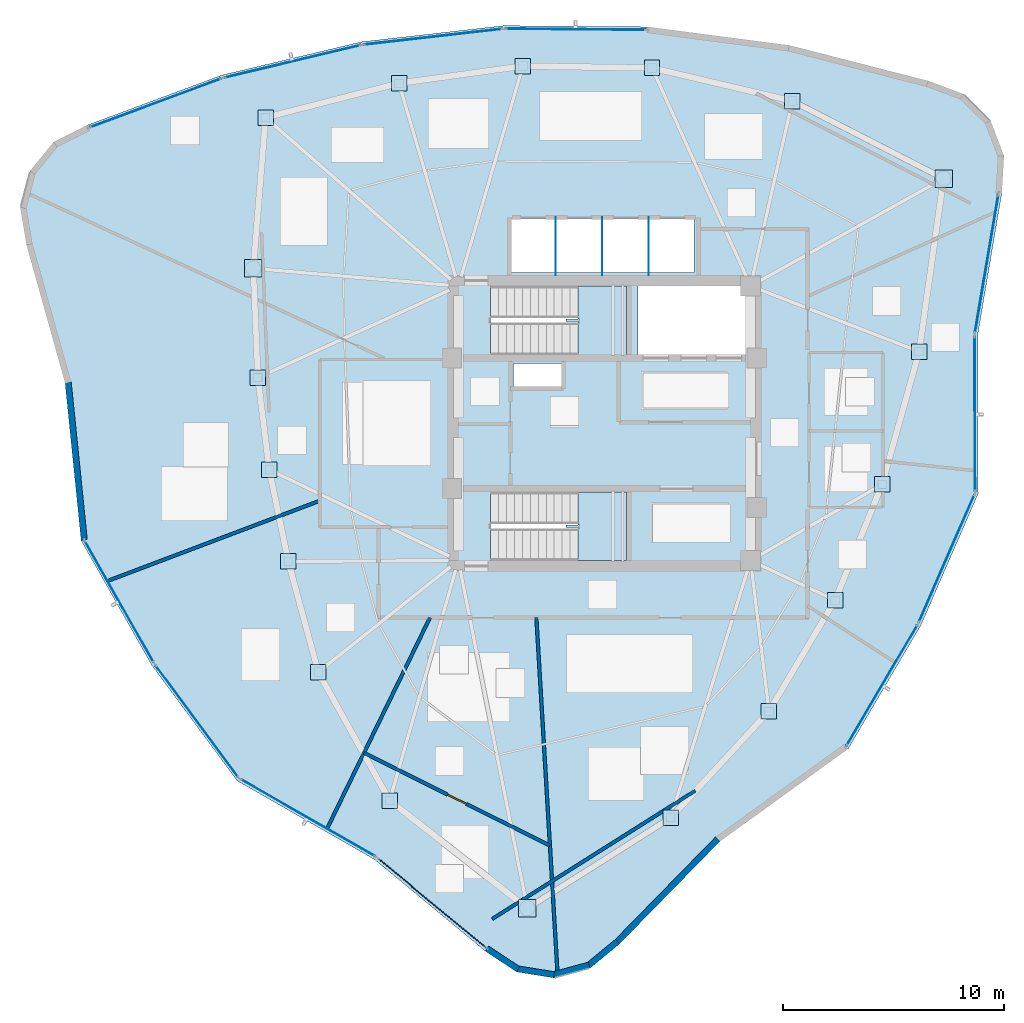
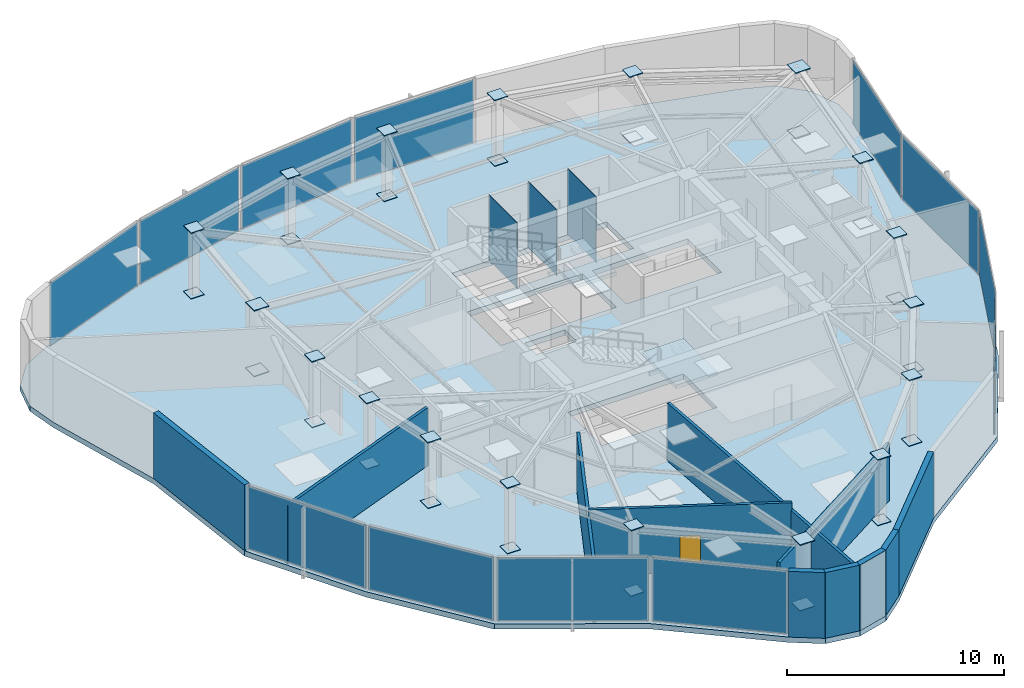
# One storey, part 7 of 11: 51 plates, 11 walls, 3 slabs, 1 door, 1 opening, 14 elements without a shape of their own.
"""IFC4 building model written with IfcOpenShell, lengths in metres."""

from ifc_helpers import new_model, si_unit, direction, frame, frame_2d, origin, origin_2d, place, context, subcontext, project, spatial, polyline, rectangle, outline, extrude, source, transform, mapped, material, layer, layer_set, type_object, type_shapes, element, fill, aggregate, save


model = new_model("IFC4")

# Units and contexts
model_context = context("Model", 3, precision=1e-05, world=origin(), true_north=direction((0.0, 1.0)))
body_context = subcontext(model_context, "Body", "Model", "MODEL_VIEW")
ifc_project = project(units=[si_unit("LENGTHUNIT", "METRE"), si_unit("AREAUNIT", "SQUARE_METRE"), si_unit("VOLUMEUNIT", "CUBIC_METRE"), si_unit("PLANEANGLEUNIT", "RADIAN"), si_unit("MASSUNIT", "GRAM", prefix="KILO")], contexts=[model_context])

# Site, building, storey
site_placement = place(None, origin())
site = spatial("IfcSite", under=ifc_project, at=site_placement, CompositionType="ELEMENT")
building_placement = place(site_placement, origin())
building = spatial("IfcBuilding", under=site, at=building_placement, Name="Tavelor Broadcast Tower", CompositionType="ELEMENT")
storey_placement = place(building_placement, frame((0.0, 0.0, 309.5)))
storey = spatial("IfcBuildingStorey", under=building, at=storey_placement, Name="L74", CompositionType="ELEMENT", Elevation=309.5)

# Stair, slab
ifc_material_1 = material(Name="Concrete C40/50", Category="concrete")
stair_type = type_object("IfcStairType", Name="Reinforced Concrete Protected Dogleg Stair 1450 mm", PredefinedType="HALF_TURN_STAIR", material=ifc_material_1)
stair_1_placement = place(storey_placement, origin())
stair_1 = element("IfcStair", 1, at=stair_1_placement, inside=storey, type_object=stair_type, Name="L74 Protected Core Exit Stair ST1", PredefinedType="HALF_TURN_STAIR")
ifc_layer_1 = layer(ifc_material_1, 0.199951171875)
ifc_layer_set_1 = layer_set([ifc_layer_1], Name="Concrete C40/50")
slab_type_1 = type_object("IfcSlabType", Name="Reinforced Concrete Stair Half-Landing Slab 200 mm", PredefinedType="LANDING", material=ifc_layer_set_1)
slab_1_placement = place(storey_placement, frame((0.0, 0.0, 1.800048828125)))
slab_1 = element("IfcSlab", 2, at=slab_1_placement, type_object=slab_type_1, Name="ST1 landing 1", PredefinedType="LANDING", context=body_context, shape_type="SweptSolid", body=[
    extrude(outline(polyline([(48.804931640625, 49.590087890625), (48.804931640625, 48.094970703125), (51.0048828125, 48.094970703125), (51.0048828125, 51.205078125), (48.804931640625, 51.205078125), (48.804931640625, 49.7099609375), (48.264892578125, 49.7099609375), (48.264892578125, 49.590087890625), (48.804931640625, 49.590087890625)])), origin(), (0.0, 0.0, 1.0), 0.199951171875),
])
aggregate(stair_1, [slab_1])

stair_2_placement = place(storey_placement, origin())
stair_2 = element("IfcStair", 3, at=stair_2_placement, inside=storey, type_object=stair_type, Name="L74 Protected Core Exit Stair ST2", PredefinedType="HALF_TURN_STAIR")
slab_2_placement = place(storey_placement, frame((0.0, 0.0, 1.800048828125)))
slab_2 = element("IfcSlab", 4, at=slab_2_placement, type_object=slab_type_1, Name="ST2 landing 1", PredefinedType="LANDING", context=body_context, shape_type="SweptSolid", body=[
    extrude(outline(polyline([(48.804931640625, 40.2900390625), (48.804931640625, 38.794921875), (51.0048828125, 38.794921875), (51.0048828125, 41.905029296875), (48.804931640625, 41.905029296875), (48.804931640625, 40.409912109375), (48.264892578125, 40.409912109375), (48.264892578125, 40.2900390625), (48.804931640625, 40.2900390625)])), origin(), (0.0, 0.0, 1.0), 0.199951171875),
])
aggregate(stair_2, [slab_2])

# Slab
ifc_layer_2 = layer(ifc_material_1, 0.300048828125)
ifc_layer_set_2 = layer_set([ifc_layer_2], Name="Concrete C40/50")
slab_type_2 = type_object("IfcSlabType", Name="Tower Composite Floor Slab 300 mm", PredefinedType="FLOOR", material=ifc_layer_set_2)
slab_3_placement = place(storey_placement, frame((0.0, 0.0, -0.300048828125)))
element("IfcSlab", 5, at=slab_3_placement, inside=storey, type_object=slab_type_2, Name="L74 Structural Floor Slab", PredefinedType="FLOOR", context=body_context, shape_type="SweptSolid", body=[
    extrude(outline(polyline([(26.6416015625, 58.472412109375), (25.118408203125, 57.71142578125), (24.043701171875, 56.39111328125), (23.607421875, 54.74560546875), (23.886962890625, 53.066162109375), (25.632080078125, 46.8251953125), (26.358642578125, 39.697509765625), (29.552001953125, 34.058837890625), (33.404541015625, 28.847900390625), (39.620361328125, 25.28515625), (44.61181640625, 21.152587890625), (46.0322265625, 20.214111328125), (47.713134765625, 19.943359375), (49.3564453125, 20.38818359375), (50.671142578125, 21.469970703125), (55.203369140625, 26.101806640625), (61.0126953125, 30.294921875), (64.29931640625, 35.8798828125), (66.885986328125, 41.821533203125), (66.86328125, 48.986083984375), (67.94677734375, 55.375244140625), (68.049072265625, 57.07470703125), (67.443115234375, 58.66552734375), (66.236083984375, 59.8662109375), (64.64208984375, 60.4638671875), (58.364501953125, 62.072998046875), (51.938720703125, 62.910400390625), (45.45849609375, 62.964111328125), (39.01953125, 62.2333984375), (32.71630859375, 60.728759765625), (26.6416015625, 58.472412109375)]), holes=[polyline([(50.99609375, 41.89599609375), (50.99609375, 38.803955078125), (44.85400390625, 38.803955078125), (44.85400390625, 41.89599609375), (50.99609375, 41.89599609375)]), polyline([(48.050048828125, 47.699951171875), (48.050048828125, 46.64990234375), (45.89990234375, 46.64990234375), (45.89990234375, 47.699951171875), (48.050048828125, 47.699951171875)]), polyline([(50.99609375, 51.196044921875), (50.99609375, 48.10400390625), (44.85400390625, 48.10400390625), (44.85400390625, 51.196044921875), (50.99609375, 51.196044921875)]), polyline([(56.60009765625, 48.10009765625), (51.52001953125, 48.10009765625), (51.52001953125, 51.199951171875), (56.60009765625, 51.199951171875), (56.60009765625, 48.10009765625)]), polyline([(54.050048828125, 51.800048828125), (45.800048828125, 51.800048828125), (45.800048828125, 54.25), (54.050048828125, 54.25), (54.050048828125, 51.800048828125)])]), origin(), (0.0, 0.0, 1.0), 0.300048828125),
])

# Plates
ifc_material_2 = material(Name="Steel S460", Category="steel")
ifc_layer_3 = layer(ifc_material_2, 0.050048828125)
ifc_layer_set_3 = layer_set([ifc_layer_3], Name="Steel S460")
plate_type_1 = type_object("IfcPlateType", Name="Tube Hollow-End Cap Plate KN05 700x700x50", PredefinedType="USERDEFINED", material=ifc_layer_set_3)
shared_shape_1 = source(origin(), body_context, "Body", "SweptSolid", [
    extrude(rectangle(XDim=0.699951171875, YDim=0.699951171875, at=origin_2d()), origin(), (0.0, 0.0, 1.0), 0.054931640625),
])
for number, where, z_axis, x_axis, name in (
    (6, (34.341552734375, 47.061279296875, -0.02734375), (0.0, 0.0, 1.0), (1.0, 0.0, 0.0), "L74 Hollow End Cap Plate KN05 #2247"),
    (7, (34.341552734375, 47.061279296875, 3.67236328125), (0.0, 0.0, 1.0), (1.0, 0.0, 0.0), "L74 Hollow End Cap Plate KN05 #2248"),
    (8, (34.85400390625, 42.90185546875, -0.02734375), (0.0, 0.0, 1.0), (1.0, 0.0, 0.0), "L74 Hollow End Cap Plate KN05 #2249"),
    (9, (34.85400390625, 42.90185546875, 3.67236328125), (0.0, 0.0, 1.0), (1.0, 0.0, 0.0), "L74 Hollow End Cap Plate KN05 #2250"),
    (10, (35.716552734375, 38.757080078125, -0.02734375), (0.0, 0.0, 1.0), (1.0, 0.0, 0.0), "L74 Hollow End Cap Plate KN05 #2251"),
    (11, (35.716552734375, 38.757080078125, 3.67236328125), (0.0, 0.0, 1.0), (1.0, 0.0, 0.0), "L74 Hollow End Cap Plate KN05 #2252"),
    (12, (37.068115234375, 33.759521484375, -0.02734375), (0.0, 0.0, 1.0), (1.0, 0.0, 0.0), "L74 Hollow End Cap Plate KN05 #2253"),
    (13, (37.068115234375, 33.759521484375, 3.67236328125), (0.0, 0.0, 1.0), (1.0, 0.0, 0.0), "L74 Hollow End Cap Plate KN05 #2254"),
    (14, (40.29638671875, 27.95361328125, -0.02734375), (0.0, 0.0, 1.0), (1.0, 0.0, 0.0), "L74 Hollow End Cap Plate KN05 #2255"),
    (15, (40.29638671875, 27.95361328125, 3.67236328125), (0.0, 0.0, 1.0), (1.0, 0.0, 0.0), "L74 Hollow End Cap Plate KN05 #2256"),
    (16, (52.992919921875, 27.1767578125, -0.02734375), (0.0, 0.0, 1.0), (1.0, 0.0, 0.0), "L74 Hollow End Cap Plate KN05 #2259"),
    (17, (52.992919921875, 27.1767578125, 3.67236328125), (0.0, 0.0, 1.0), (1.0, 0.0, 0.0), "L74 Hollow End Cap Plate KN05 #2260"),
    (18, (57.431396484375, 31.9921875, -0.02734375), (0.0, 0.0, 1.0), (1.0, 0.0, 0.0), "L74 Hollow End Cap Plate KN05 #2261"),
    (19, (57.431396484375, 31.9921875, 3.67236328125), (0.0, 0.0, 1.0), (1.0, 0.0, 0.0), "L74 Hollow End Cap Plate KN05 #2262"),
    (20, (60.41748046875, 37.00439453125, -0.02734375), (0.0, 0.0, 1.0), (1.0, 0.0, 0.0), "L74 Hollow End Cap Plate KN05 #2263"),
    (21, (60.41748046875, 37.00439453125, 3.67236328125), (0.0, 0.0, 1.0), (1.0, 0.0, 0.0), "L74 Hollow End Cap Plate KN05 #2264"),
    (22, (62.543701171875, 42.240478515625, -0.02734375), (0.0, 0.0, 1.0), (1.0, 0.0, 0.0), "L74 Hollow End Cap Plate KN05 #2265"),
    (23, (62.543701171875, 42.240478515625, 3.67236328125), (0.0, 0.0, 1.0), (1.0, 0.0, 0.0), "L74 Hollow End Cap Plate KN05 #2266"),
    (24, (64.21435546875, 48.2373046875, -0.02734375), (0.0, 0.0, 1.0), (1.0, 0.0, 0.0), "L74 Hollow End Cap Plate KN05 #2267"),
    (25, (64.21435546875, 48.2373046875, 3.67236328125), (0.0, 0.0, 1.0), (1.0, 0.0, 0.0), "L74 Hollow End Cap Plate KN05 #2268"),
    (26, (58.485595703125, 59.55712890625, -0.02734375), (0.0, 0.0, 1.0), (1.0, 0.0, 0.0), "L74 Hollow End Cap Plate KN05 #2271"),
    (27, (58.485595703125, 59.55712890625, 3.67236328125), (0.0, 0.0, 1.0), (1.0, 0.0, 0.0), "L74 Hollow End Cap Plate KN05 #2272"),
    (28, (52.147216796875, 61.05078125, -0.02734375), (0.0, 0.0, 1.0), (1.0, 0.0, 0.0), "L74 Hollow End Cap Plate KN05 #2273"),
    (29, (52.147216796875, 61.05078125, 3.67236328125), (0.0, 0.0, 1.0), (1.0, 0.0, 0.0), "L74 Hollow End Cap Plate KN05 #2274"),
    (30, (46.3154296875, 61.13720703125, -0.02734375), (0.0, 0.0, 1.0), (1.0, 0.0, 0.0), "L74 Hollow End Cap Plate KN05 #2275"),
    (31, (46.3154296875, 61.13720703125, 3.67236328125), (0.0, 0.0, 1.0), (1.0, 0.0, 0.0), "L74 Hollow End Cap Plate KN05 #2276"),
    (32, (40.718017578125, 60.36083984375, -0.02734375), (0.0, 0.0, 1.0), (1.0, 0.0, 0.0), "L74 Hollow End Cap Plate KN05 #2277"),
    (33, (40.718017578125, 60.36083984375, 3.67236328125), (0.0, 0.0, 1.0), (1.0, 0.0, 0.0), "L74 Hollow End Cap Plate KN05 #2278"),
    (34, (34.689208984375, 58.80908203125, -0.02734375), (0.0, 0.0, 1.0), (1.0, 0.0, 0.0), "L74 Hollow End Cap Plate KN05 #2279"),
    (35, (34.689208984375, 58.80908203125, 3.67236328125), (0.0, 0.0, 1.0), (1.0, 0.0, 0.0), "L74 Hollow End Cap Plate KN05 #2280"),
):
    element("IfcPlate", number, at=place(storey_placement, frame(where, z_axis=z_axis, x_axis=x_axis)), inside=storey, type_object=plate_type_1, Name=name, ObjectType="CAP PLATE", PredefinedType="USERDEFINED", context=body_context, shape_type="MappedRepresentation", body=[
        mapped(shared_shape_1, transform((0.0, 0.0, 0.0), scale=1.0)),
    ])
shared_shape_2 = source(origin(), body_context, "Body", "SweptSolid", [
    extrude(rectangle(XDim=0.791015625, YDim=0.791015625, at=origin_2d()), origin(), (0.0, 0.0, 1.0), 0.054931640625),
])
type_shapes(plate_type_1, [shared_shape_1, shared_shape_2])
for number, where, z_axis, x_axis, name in (
    (36, (34.134765625, 51.995849609375, -0.02734375), (0.0, 0.0, 1.0), (1.0, 0.0, 0.0), "L74 Hollow End Cap Plate KN05 #2245"),
    (37, (34.134765625, 51.995849609375, 3.67236328125), (0.0, 0.0, 1.0), (1.0, 0.0, 0.0), "L74 Hollow End Cap Plate KN05 #2246"),
    (38, (46.5146484375, 23.08740234375, -0.02734375), (0.0, 0.0, 1.0), (1.0, 0.0, 0.0), "L74 Hollow End Cap Plate KN05 #2257"),
    (39, (46.5146484375, 23.08740234375, 3.67236328125), (0.0, 0.0, 1.0), (1.0, 0.0, 0.0), "L74 Hollow End Cap Plate KN05 #2258"),
    (40, (65.319580078125, 56.0556640625, -0.02734375), (0.0, 0.0, 1.0), (1.0, 0.0, 0.0), "L74 Hollow End Cap Plate KN05 #2269"),
    (41, (65.319580078125, 56.0556640625, 3.67236328125), (0.0, 0.0, 1.0), (1.0, 0.0, 0.0), "L74 Hollow End Cap Plate KN05 #2270"),
):
    element("IfcPlate", number, at=place(storey_placement, frame(where, z_axis=z_axis, x_axis=x_axis)), inside=storey, type_object=plate_type_1, Name=name, ObjectType="CAP PLATE", PredefinedType="USERDEFINED", context=body_context, shape_type="MappedRepresentation", body=[
        mapped(shared_shape_2, transform((0.0, 0.0, 0.0), scale=1.0)),
    ])
ifc_material_3 = material(Name="Steel S355", Category="steel")
ifc_layer_4 = layer(ifc_material_3, 0.011962890625)
ifc_layer_set_4 = layer_set([ifc_layer_4], Name="Steel S355")
plate_type_2 = type_object("IfcPlateType", Name="Hoistway Steel Separator Screen 12 mm", PredefinedType="SHEET", material=ifc_layer_set_4)
shared_shape_3 = source(origin(), body_context, "Body", "SweptSolid", [
    extrude(rectangle(XDim=0.02001953125, YDim=2.6201171875, at=origin_2d()), origin(), (0.0, 0.0, 1.0), 3.699951171875),
])
type_shapes(plate_type_2, [shared_shape_3])
for number, where, z_axis, x_axis, name in (
    (42, (47.800048828125, 52.989990234375, 0.0), (0.0, 0.0, 1.0), (1.0, 0.0, 0.0), "L74 High-Rise Hoistway Separator Screen 1"),
    (43, (49.89990234375, 52.989990234375, 0.0), (0.0, 0.0, 1.0), (1.0, 0.0, 0.0), "L74 High-Rise Hoistway Separator Screen 2"),
    (44, (52.0, 52.989990234375, 0.0), (0.0, 0.0, 1.0), (1.0, 0.0, 0.0), "L74 High-Rise Hoistway Separator Screen 3"),
):
    element("IfcPlate", number, at=place(storey_placement, frame(where, z_axis=z_axis, x_axis=x_axis)), inside=storey, type_object=plate_type_2, Name=name, PredefinedType="SHEET", context=body_context, shape_type="MappedRepresentation", body=[
        mapped(shared_shape_3, transform((0.0, 0.0, 0.0), scale=1.0)),
    ])

# Curtain wall, plate
ifc_material_4 = material(Name="Architectural Anodized Aluminium", Category="aluminium")
ifc_layer_5 = layer(ifc_material_4, 0.199951171875)
ifc_layer_set_5 = layer_set([ifc_layer_5], Name="Architectural Anodized Aluminium")
curtain_wall_type = type_object("IfcCurtainWallType", Name="Tower High-Zone Triple-Glazed Curtain Wall CW04", PredefinedType="NOTDEFINED", material=ifc_layer_set_5)
curtain_wall_1_placement = place(storey_placement, origin())
curtain_wall_1 = element("IfcCurtainWall", 45, at=curtain_wall_1_placement, inside=storey, type_object=curtain_wall_type, Name="L74 Curtain Wall CW04 Run 817", PredefinedType="NOTDEFINED")
ifc_material_5 = material(Name="High-Altitude Triple Glazing 36 mm", Category="glass")
ifc_layer_6 = layer(ifc_material_5, 0.035888671875)
ifc_layer_set_6 = layer_set([ifc_layer_6], Name="High-Altitude Triple Glazing 36 mm")
plate_type_3 = type_object("IfcPlateType", Name="CW04 Insulated Vision Glazing Panel 36 mm", PredefinedType="CURTAIN_PANEL", material=ifc_layer_set_6)
shared_shape_4 = source(origin(), body_context, "Body", "SweptSolid", [
    extrude(rectangle(XDim=6.287353515625, YDim=0.035888671875, at=origin_2d()), origin(), (0.0, 0.0, 1.0), 3.56005859375),
])
plate_1_placement = place(storey_placement, frame((28.07861328125, 36.944580078125, 0.070068359375), z_axis=(0.0, 0.0, 1.0), x_axis=(0.492794295061, -0.870145839934, 0.0)))
plate_1 = element("IfcPlate", 46, at=plate_1_placement, type_object=plate_type_3, Name="CW04 panel 1.1", PredefinedType="CURTAIN_PANEL", context=body_context, shape_type="MappedRepresentation", body=[
    mapped(shared_shape_4, transform((0.0, 0.0, 0.0), scale=1.0)),
])
aggregate(curtain_wall_1, [plate_1])

curtain_wall_2_placement = place(storey_placement, origin())
curtain_wall_2 = element("IfcCurtainWall", 47, at=curtain_wall_2_placement, inside=storey, type_object=curtain_wall_type, Name="L74 Curtain Wall CW04 Run 821", PredefinedType="NOTDEFINED")
plate_2_placement = place(storey_placement, frame((62.536865234375, 33.160888671875, 0.070068359375), z_axis=(0.0, 0.0, 1.0), x_axis=(0.507166982439, 0.861847812508, 0.0)))
plate_2 = element("IfcPlate", 48, at=plate_2_placement, type_object=plate_type_3, Name="CW04 panel 1.1", PredefinedType="CURTAIN_PANEL", context=body_context, shape_type="MappedRepresentation", body=[
    mapped(shared_shape_4, transform((0.0, 0.0, 0.0), scale=1.0)),
])
aggregate(curtain_wall_2, [plate_2])

curtain_wall_3_placement = place(storey_placement, origin())
curtain_wall_3 = element("IfcCurtainWall", 49, at=curtain_wall_3_placement, inside=storey, type_object=curtain_wall_type, Name="L74 Curtain Wall CW04 Run 818", PredefinedType="NOTDEFINED")
shared_shape_5 = source(origin(), body_context, "Body", "SweptSolid", [
    extrude(rectangle(XDim=6.2724609375, YDim=0.035888671875, at=origin_2d()), origin(), (0.0, 0.0, 1.0), 3.56005859375),
])
plate_3_placement = place(storey_placement, frame((31.584716796875, 31.544921875, 0.070068359375), z_axis=(0.0, 0.0, 1.0), x_axis=(0.594484015016, -0.804107428078, 0.0)))
plate_3 = element("IfcPlate", 50, at=plate_3_placement, type_object=plate_type_3, Name="CW04 panel 1.1", PredefinedType="CURTAIN_PANEL", context=body_context, shape_type="MappedRepresentation", body=[
    mapped(shared_shape_5, transform((0.0, 0.0, 0.0), scale=1.0)),
])
aggregate(curtain_wall_3, [plate_3])

curtain_wall_4_placement = place(storey_placement, origin())
curtain_wall_4 = element("IfcCurtainWall", 51, at=curtain_wall_4_placement, inside=storey, type_object=curtain_wall_type, Name="L74 Curtain Wall CW04 Run 822", PredefinedType="NOTDEFINED")
plate_4_placement = place(storey_placement, frame((65.4599609375, 38.89697265625, 0.070068359375), z_axis=(0.0, 0.0, 1.0), x_axis=(0.399145191611, 0.916887733593, 0.0)))
plate_4 = element("IfcPlate", 52, at=plate_4_placement, type_object=plate_type_3, Name="CW04 panel 1.1", PredefinedType="CURTAIN_PANEL", context=body_context, shape_type="MappedRepresentation", body=[
    mapped(shared_shape_5, transform((0.0, 0.0, 0.0), scale=1.0)),
])
aggregate(curtain_wall_4, [plate_4])

curtain_wall_5_placement = place(storey_placement, origin())
curtain_wall_5 = element("IfcCurtainWall", 53, at=curtain_wall_5_placement, inside=storey, type_object=curtain_wall_type, Name="L74 Curtain Wall CW04 Run 819", PredefinedType="NOTDEFINED")
shared_shape_6 = source(origin(), body_context, "Body", "SweptSolid", [
    extrude(rectangle(XDim=6.97705078125, YDim=0.035888671875, at=origin_2d()), origin(), (0.0, 0.0, 1.0), 3.56005859375),
])
plate_5_placement = place(storey_placement, frame((36.599853515625, 27.177734375, 0.070068359375), z_axis=(0.0, 0.0, 1.0), x_axis=(0.867594768598, -0.497271874834, 0.0)))
plate_5 = element("IfcPlate", 54, at=plate_5_placement, type_object=plate_type_3, Name="CW04 panel 1.1", PredefinedType="CURTAIN_PANEL", context=body_context, shape_type="MappedRepresentation", body=[
    mapped(shared_shape_6, transform((0.0, 0.0, 0.0), scale=1.0)),
])
aggregate(curtain_wall_5, [plate_5])

curtain_wall_6_placement = place(storey_placement, origin())
curtain_wall_6 = element("IfcCurtainWall", 55, at=curtain_wall_6_placement, inside=storey, type_object=curtain_wall_type, Name="L74 Curtain Wall CW04 Run 823", PredefinedType="NOTDEFINED")
plate_6_placement = place(storey_placement, frame((66.734619140625, 45.424072265625, 0.070068359375), z_axis=(0.0, 0.0, 1.0), x_axis=(-0.003161384203, 0.999995002812, 0.0)))
plate_6 = element("IfcPlate", 56, at=plate_6_placement, type_object=plate_type_3, Name="CW04 panel 1.1", PredefinedType="CURTAIN_PANEL", context=body_context, shape_type="MappedRepresentation", body=[
    mapped(shared_shape_6, transform((0.0, 0.0, 0.0), scale=1.0)),
])
aggregate(curtain_wall_6, [plate_6])

curtain_wall_7_placement = place(storey_placement, origin())
curtain_wall_7 = element("IfcCurtainWall", 57, at=curtain_wall_7_placement, inside=storey, type_object=curtain_wall_type, Name="L74 Curtain Wall CW04 Run 820", PredefinedType="NOTDEFINED")
shared_shape_7 = source(origin(), body_context, "Body", "SweptSolid", [
    extrude(rectangle(XDim=6.329833984375, YDim=0.035888671875, at=origin_2d()), origin(), (0.0, 0.0, 1.0), 3.56005859375),
])
plate_7_placement = place(storey_placement, frame((42.20361328125, 23.328125, 0.070068359375), z_axis=(0.0, 0.0, 1.0), x_axis=(0.77025712586, -0.637733455342, 0.0)))
plate_7 = element("IfcPlate", 58, at=plate_7_placement, type_object=plate_type_3, Name="CW04 panel 1.1", PredefinedType="CURTAIN_PANEL", context=body_context, shape_type="MappedRepresentation", body=[
    mapped(shared_shape_7, transform((0.0, 0.0, 0.0), scale=1.0)),
])
aggregate(curtain_wall_7, [plate_7])

curtain_wall_8_placement = place(storey_placement, origin())
curtain_wall_8 = element("IfcCurtainWall", 59, at=curtain_wall_8_placement, inside=storey, type_object=curtain_wall_type, Name="L74 Curtain Wall CW04 Run 824", PredefinedType="NOTDEFINED")
plate_8_placement = place(storey_placement, frame((67.2666015625, 52.201904296875, 0.070068359375), z_axis=(0.0, 0.0, 1.0), x_axis=(0.16717545884, 0.985927160576, 0.0)))
plate_8 = element("IfcPlate", 60, at=plate_8_placement, type_object=plate_type_3, Name="CW04 panel 1.1", PredefinedType="CURTAIN_PANEL", context=body_context, shape_type="MappedRepresentation", body=[
    mapped(shared_shape_7, transform((0.0, 0.0, 0.0), scale=1.0)),
])
aggregate(curtain_wall_8, [plate_8])

curtain_wall_9_placement = place(storey_placement, origin())
curtain_wall_9 = element("IfcCurtainWall", 61, at=curtain_wall_9_placement, inside=storey, type_object=curtain_wall_type, Name="L74 Curtain Wall CW04 Run 825", PredefinedType="NOTDEFINED")
shared_shape_8 = source(origin(), body_context, "Body", "SweptSolid", [
    extrude(rectangle(XDim=6.308349609375, YDim=0.035888671875, at=origin_2d()), origin(), (0.0, 0.0, 1.0), 3.56005859375),
])
plate_9_placement = place(storey_placement, frame((48.704833984375, 62.79736328125, 0.070068359375), z_axis=(0.0, 0.0, 1.0), x_axis=(-0.999965581525, 0.008296732153, 0.0)))
plate_9 = element("IfcPlate", 62, at=plate_9_placement, type_object=plate_type_3, Name="CW04 panel 1.1", PredefinedType="CURTAIN_PANEL", context=body_context, shape_type="MappedRepresentation", body=[
    mapped(shared_shape_8, transform((0.0, 0.0, 0.0), scale=1.0)),
])
aggregate(curtain_wall_9, [plate_9])

curtain_wall_10_placement = place(storey_placement, origin())
curtain_wall_10 = element("IfcCurtainWall", 63, at=curtain_wall_10_placement, inside=storey, type_object=curtain_wall_type, Name="L74 Curtain Wall CW04 Run 826", PredefinedType="NOTDEFINED")
shared_shape_9 = source(origin(), body_context, "Body", "SweptSolid", [
    extrude(rectangle(XDim=6.293212890625, YDim=0.035888671875, at=origin_2d()), origin(), (0.0, 0.0, 1.0), 3.56005859375),
])
plate_10_placement = place(storey_placement, frame((42.2548828125, 62.459716796875, 0.070068359375), z_axis=(0.0, 0.0, 1.0), x_axis=(-0.993620702553, -0.112773664739, 0.0)))
plate_10 = element("IfcPlate", 64, at=plate_10_placement, type_object=plate_type_3, Name="CW04 panel 1.1", PredefinedType="CURTAIN_PANEL", context=body_context, shape_type="MappedRepresentation", body=[
    mapped(shared_shape_9, transform((0.0, 0.0, 0.0), scale=1.0)),
])
aggregate(curtain_wall_10, [plate_10])

curtain_wall_11_placement = place(storey_placement, origin())
curtain_wall_11 = element("IfcCurtainWall", 65, at=curtain_wall_11_placement, inside=storey, type_object=curtain_wall_type, Name="L74 Curtain Wall CW04 Run 827", PredefinedType="NOTDEFINED")
plate_11_placement = place(storey_placement, frame((35.900390625, 61.344970703125, 0.070068359375), z_axis=(0.0, 0.0, 1.0), x_axis=(-0.972668782585, -0.232196984014, 0.0)))
plate_11 = element("IfcPlate", 66, at=plate_11_placement, type_object=plate_type_3, Name="CW04 panel 1.1", PredefinedType="CURTAIN_PANEL", context=body_context, shape_type="MappedRepresentation", body=[
    mapped(shared_shape_9, transform((0.0, 0.0, 0.0), scale=1.0)),
])
aggregate(curtain_wall_11, [plate_11])

curtain_wall_12_placement = place(storey_placement, origin())
curtain_wall_12 = element("IfcCurtainWall", 67, at=curtain_wall_12_placement, inside=storey, type_object=curtain_wall_type, Name="L74 Curtain Wall CW04 Run 828", PredefinedType="NOTDEFINED")
shared_shape_10 = source(origin(), body_context, "Body", "SweptSolid", [
    extrude(rectangle(XDim=6.309326171875, YDim=0.035888671875, at=origin_2d()), origin(), (0.0, 0.0, 1.0), 3.56005859375),
])
type_shapes(plate_type_3, [shared_shape_4, shared_shape_5, shared_shape_6, shared_shape_7, shared_shape_8, shared_shape_9, shared_shape_10])
plate_12_placement = place(storey_placement, frame((29.72021484375, 59.466552734375, 0.070068359375), z_axis=(0.0, 0.0, 1.0), x_axis=(-0.937427585606, -0.348180300628, 0.0)))
plate_12 = element("IfcPlate", 68, at=plate_12_placement, type_object=plate_type_3, Name="CW04 panel 1.1", PredefinedType="CURTAIN_PANEL", context=body_context, shape_type="MappedRepresentation", body=[
    mapped(shared_shape_10, transform((0.0, 0.0, 0.0), scale=1.0)),
])
aggregate(curtain_wall_12, [plate_12])

# Walls
ifc_material_6 = material(Name="Precast Concrete C40/50", Category="concrete")
ifc_layer_7 = layer(ifc_material_6, 0.280029296875)
ifc_layer_set_7 = layer_set([ifc_layer_7], Name="Precast Concrete C40/50")
wall_type_1 = type_object("IfcWallType", Name="Insulated Precast Terracotta Facade Wall 280 mm", PredefinedType="STANDARD", material=ifc_layer_set_7)
wall_1_placement = place(storey_placement, frame((25.7685546875, 46.8662109375, 0.0), z_axis=(0.0, 0.0, 1.0), x_axis=(0.101422856147, -0.994843406899, 0.0)))
element("IfcWall", 69, at=wall_1_placement, inside=storey, type_object=wall_type_1, Name="L74 Rounded Corner Structural Cladding Pier 06", PredefinedType="STANDARD", context=body_context, shape_type="SweptSolid", body=[
    extrude(rectangle(XDim=7.166015625, YDim=0.280029296875, at=frame_2d((3.5830078125, 0.0))), origin(), (0.0, 0.0, 1.0), 3.699951171875),
])
wall_2_placement = place(storey_placement, frame((44.69189453125, 21.267333984375, 0.0), z_axis=(0.0, 0.0, 1.0), x_axis=(0.834318647921, -0.551282499026, 0.0)))
element("IfcWall", 70, at=wall_2_placement, inside=storey, type_object=wall_type_1, Name="L74 Rounded Corner Structural Cladding Pier 11", PredefinedType="STANDARD", context=body_context, shape_type="SweptSolid", body=[
    extrude(rectangle(XDim=1.683837890625, YDim=0.280029296875, at=frame_2d((0.841796875, 0.0))), origin(), (0.0, 0.0, 1.0), 3.699951171875),
])
wall_3_placement = place(storey_placement, frame((46.069580078125, 20.349853515625, 0.0), z_axis=(0.0, 0.0, 1.0), x_axis=(0.987278852602, -0.158998324532, 0.0)))
element("IfcWall", 71, at=wall_3_placement, inside=storey, type_object=wall_type_1, Name="L74 Rounded Corner Structural Cladding Pier 12", PredefinedType="STANDARD", context=body_context, shape_type="SweptSolid", body=[
    extrude(rectangle(XDim=1.672119140625, YDim=0.280029296875, at=frame_2d((0.8359375, 0.0))), origin(), (0.0, 0.0, 1.0), 3.699951171875),
])
wall_4_placement = place(storey_placement, frame((47.691162109375, 20.08251953125, 0.0), z_axis=(0.0, 0.0, 1.0), x_axis=(0.965290807551, 0.261177443241, 0.0)))
element("IfcWall", 72, at=wall_4_placement, inside=storey, type_object=wall_type_1, Name="L74 Rounded Corner Structural Cladding Pier 13", PredefinedType="STANDARD", context=body_context, shape_type="SweptSolid", body=[
    extrude(rectangle(XDim=1.67236328125, YDim=0.280029296875, at=frame_2d((0.836181640625, 0.0))), origin(), (0.0, 0.0, 1.0), 3.699951171875),
])
wall_5_placement = place(storey_placement, frame((49.279296875, 20.505859375, 0.0), z_axis=(0.0, 0.0, 1.0), x_axis=(0.77215058303, 0.635439593609, 0.0)))
element("IfcWall", 73, at=wall_5_placement, inside=storey, type_object=wall_type_1, Name="L74 Rounded Corner Structural Cladding Pier 14", PredefinedType="STANDARD", context=body_context, shape_type="SweptSolid", body=[
    extrude(rectangle(XDim=1.69482421875, YDim=0.280029296875, at=frame_2d((0.847412109375, 0.0))), origin(), (0.0, 0.0, 1.0), 3.699951171875),
])
wall_6_placement = place(storey_placement, frame((50.56591796875, 21.5625, 0.0), z_axis=(0.0, 0.0, 1.0), x_axis=(0.699363672828, 0.714766012852, 0.0)))
element("IfcWall", 74, at=wall_6_placement, inside=storey, type_object=wall_type_1, Name="L74 Rounded Corner Structural Cladding Pier 15", PredefinedType="STANDARD", context=body_context, shape_type="SweptSolid", body=[
    extrude(rectangle(XDim=6.5146484375, YDim=0.280029296875, at=frame_2d((3.25732421875, 0.0))), origin(), (0.0, 0.0, 1.0), 3.699951171875),
])
ifc_material_7 = material(Name="Gypsum Acoustic Plasterboard 150 mm", Category="gypsum")
ifc_layer_8 = layer(ifc_material_7, 0.14990234375)
ifc_layer_set_8 = layer_set([ifc_layer_8], Name="Gypsum Acoustic Plasterboard 150 mm")
wall_type_2 = type_object("IfcWallType", Name="Interior Acoustic Partition Wall 150 mm", PredefinedType="PARTITIONING", material=ifc_layer_set_8)
wall_7_placement = place(storey_placement, frame((44.9267578125, 22.60546875, 0.0), z_axis=(0.0, 0.0, 1.0), x_axis=(0.845624548895, 0.533778158326, 0.0)))
element("IfcWall", 75, at=wall_7_placement, inside=storey, type_object=wall_type_2, Name="L74 Corner Tube Brace Furring Wall 2", PredefinedType="PARTITIONING", context=body_context, shape_type="SweptSolid", body=[
    extrude(rectangle(XDim=10.861083984375, YDim=0.14990234375, at=frame_2d((5.4306640625, 0.0))), origin(), (0.0, 0.0, 1.0), 3.22509765625),
])
wall_8_placement = place(storey_placement, frame((42.11767578125, 36.219970703125, 0.0), z_axis=(0.0, 0.0, 1.0), x_axis=(-0.438366122434, -0.898796496823, 0.0)))
element("IfcWall", 76, at=wall_8_placement, inside=storey, type_object=wall_type_2, Name="L74 Radial Compartment Wall 01", PredefinedType="PARTITIONING", context=body_context, shape_type="SweptSolid", body=[
    extrude(rectangle(XDim=10.622314453125, YDim=0.14990234375, at=frame_2d((5.31103515625, 0.0))), origin(), (0.0, 0.0, 1.0), 3.27490234375),
])
wall_9_placement = place(storey_placement, frame((46.9228515625, 36.219970703125, 0.0), z_axis=(0.0, 0.0, 1.0), x_axis=(0.05944180944, -0.998231772331, 0.0)))
element("IfcWall", 77, at=wall_9_placement, inside=storey, type_object=wall_type_2, Name="L74 Radial Compartment Wall 02", PredefinedType="PARTITIONING", context=body_context, shape_type="SweptSolid", body=[
    extrude(rectangle(XDim=16.125, YDim=0.14990234375, at=frame_2d((8.0625, 0.0))), origin(), (0.0, 0.0, 1.0), 3.27490234375),
])
wall_10_placement = place(storey_placement, frame((37.080078125, 41.476806640625, 0.0), z_axis=(0.0, 0.0, 1.0), x_axis=(-0.935398018186, -0.353596588747, 0.0)))
element("IfcWall", 78, at=wall_10_placement, inside=storey, type_object=wall_type_2, Name="L74 Radial Compartment Wall 07", PredefinedType="PARTITIONING", context=body_context, shape_type="SweptSolid", body=[
    extrude(rectangle(XDim=10.196533203125, YDim=0.14990234375, at=frame_2d((5.09814453125, 0.0))), origin(), (0.0, 0.0, 1.0), 3.27490234375),
])

# Wall, opening, door
wall_11_placement = place(storey_placement, frame((39.137451171875, 30.109619140625, 0.0), z_axis=(0.0, 0.0, 1.0), x_axis=(0.894770249546, -0.446526819493, 0.0)))
wall_11 = element("IfcWall", 79, at=wall_11_placement, inside=storey, type_object=wall_type_2, Name="L74 Suite Chord Partition Wall 01", PredefinedType="PARTITIONING", context=body_context, shape_type="SweptSolid", body=[
    extrude(rectangle(XDim=9.38671875, YDim=0.14990234375, at=frame_2d((4.693359375, 0.0))), origin(), (0.0, 0.0, 1.0), 3.699951171875),
])
opening_placement = place(wall_11_placement, frame((4.21826171875, 0.0, 0.0)))
opening = element("IfcOpeningElement", 80, at=opening_placement, cuts=wall_11, Name="Opening DR23", PredefinedType="OPENING", context=body_context, shape_type="SweptSolid", body=[
    extrude(rectangle(XDim=0.949951171875, YDim=2.050048828125, at=frame_2d((0.47509765625, 1.02490234375))), frame((0.0, 0.0849609375, 0.0), z_axis=(0.0, -1.0, 0.0), x_axis=(1.0, 0.0, 0.0)), (0.0, 0.0, 1.0), 0.169921875),
])
ifc_material_8 = material(Name="Timber Solid Core Hardwood", Category="wood")
door_type = type_object("IfcDoorType", Name="Editorial Room Acoustic Door 950x2050", OperationType="NOTDEFINED", PredefinedType="DOOR", material=ifc_material_8)
door_placement = place(opening_placement, origin())
door = element("IfcDoor", 81, at=door_placement, inside=storey, type_object=door_type, Name="L74 Outer Suite Partition Door 1", OperationType="SINGLE_SWING_LEFT", OverallHeight=2.050048828125, OverallWidth=0.949951171875, PredefinedType="DOOR", context=body_context, shape_type="SweptSolid", body=[
    extrude(rectangle(XDim=0.949951171875, YDim=2.050048828125, at=frame_2d((0.47509765625, 1.02490234375))), frame((0.0, 0.02490234375, 0.0), z_axis=(0.0, -1.0, 0.0), x_axis=(1.0, 0.0, 0.0)), (0.0, 0.0, 1.0), 0.050048828125),
])
fill(opening, door)

save(model, "model.ifc")
